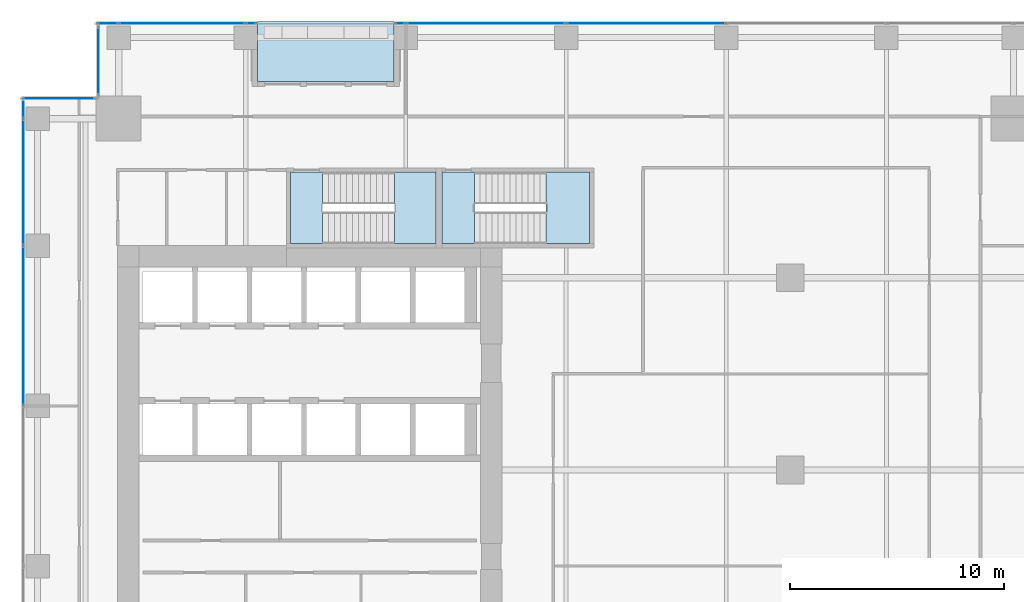
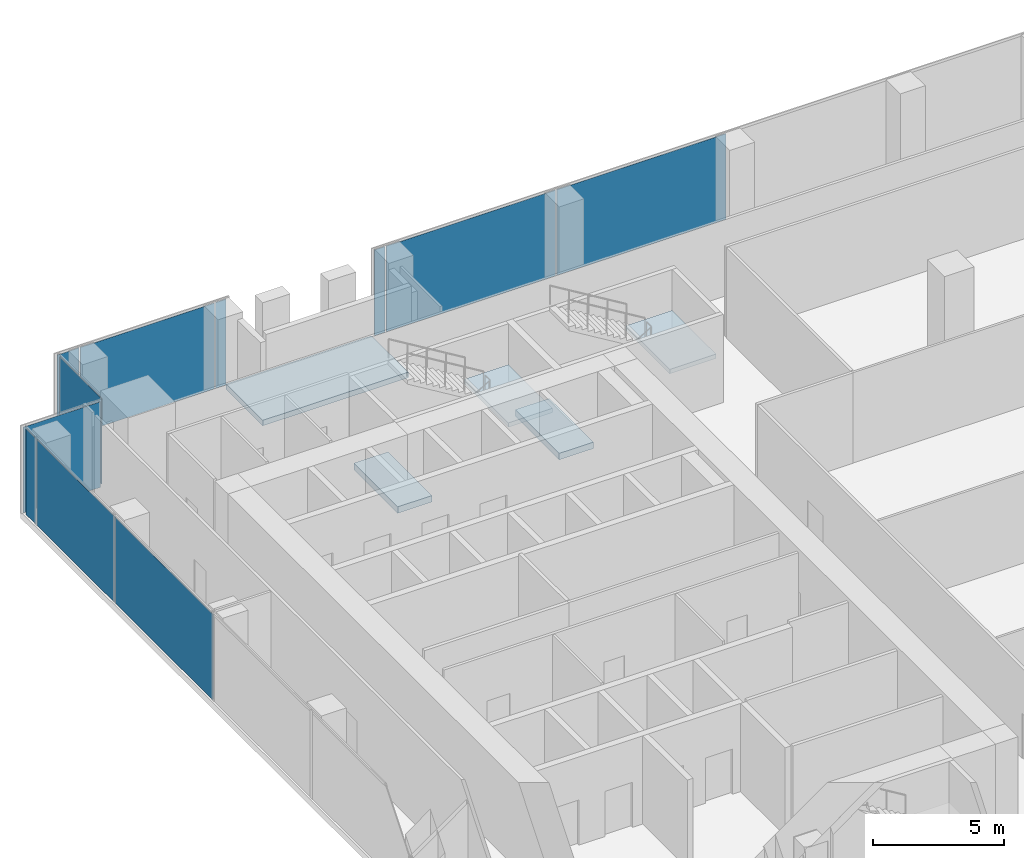
# One storey, part 26 of 34: 11 plates, 5 slabs, 7 elements without a shape of their own.
"""IFC4 building model written with IfcOpenShell, lengths in metres."""

from ifc_helpers import new_model, si_unit, direction, frame, origin, origin_2d, place, context, subcontext, project, spatial, polyline, rectangle, outline, extrude, source, transform, mapped, material, layer, layer_set, type_object, element, aggregate, save


model = new_model("IFC4")

# Units and contexts
model_context = context("Model", 3, precision=1e-05, world=origin(), true_north=direction((0.0, 1.0)))
body_context = subcontext(model_context, "Body", "Model", "MODEL_VIEW")
ifc_project = project(units=[si_unit("LENGTHUNIT", "METRE"), si_unit("AREAUNIT", "SQUARE_METRE"), si_unit("VOLUMEUNIT", "CUBIC_METRE"), si_unit("PLANEANGLEUNIT", "RADIAN"), si_unit("MASSUNIT", "GRAM", prefix="KILO")], contexts=[model_context])

# Site, building, storey
site_placement = place(None, origin())
site = spatial("IfcSite", under=ifc_project, at=site_placement, CompositionType="ELEMENT")
building_placement = place(site_placement, origin())
building = spatial("IfcBuilding", under=site, at=building_placement, Name="Khomas Fold Tower", CompositionType="ELEMENT")
storey_placement = place(building_placement, frame((0.0, 0.0, 105.89990234375)))
storey = spatial("IfcBuildingStorey", under=building, at=storey_placement, Name="L22", CompositionType="ELEMENT", Elevation=105.89990234375)

# Curtain wall, plate
ifc_material_1 = material(Name="Aluminium framed double glazing", Category="aluminium")
curtain_wall_type = type_object("IfcCurtainWallType", Name="SK-Unitised clear-glass wall, growing floors CW1", PredefinedType="NOTDEFINED", material=ifc_material_1)
curtain_wall_1_placement = place(storey_placement, origin())
curtain_wall_1 = element("IfcCurtainWall", 1, at=curtain_wall_1_placement, inside=storey, type_object=curtain_wall_type, Name="CW1 run L22 09-0", PredefinedType="NOTDEFINED")
ifc_material_2 = material(Name="Clear double glazed unit")
ifc_layer_1 = layer(ifc_material_2, 0.031982421875)
ifc_layer_set_1 = layer_set([ifc_layer_1], Name="Clear double glazed unit")
plate_type = type_object("IfcPlateType", Name="SK-Unitised clear-glass wall, growing floors glass panel CW1-P", PredefinedType="CURTAIN_PANEL", material=ifc_layer_set_1)
shared_shape_1 = source(origin(), body_context, "Body", "SweptSolid", [
    extrude(rectangle(XDim=0.760009765625, YDim=0.031982421875, at=origin_2d()), origin(), (0.0, 0.0, 1.0), 3.97998046875),
])
plate_1_placement = place(storey_placement, frame((1.60009765625, 48.360107421875, 0.0), z_axis=(0.0, 0.0, 1.0), x_axis=(0.0, -1.0, 0.0)))
plate_1 = element("IfcPlate", 2, at=plate_1_placement, type_object=plate_type, Name="CW1 glass panel 1", PredefinedType="CURTAIN_PANEL", context=body_context, shape_type="MappedRepresentation", body=[
    mapped(shared_shape_1, transform((0.0, 0.0, 0.0))),
])

curtain_wall_2_placement = place(storey_placement, origin())
curtain_wall_2 = element("IfcCurtainWall", 3, at=curtain_wall_2_placement, inside=storey, type_object=curtain_wall_type, Name="CW1 run L22 06-1", PredefinedType="NOTDEFINED")
shared_shape_2 = source(origin(), body_context, "Body", "SweptSolid", [
    extrude(rectangle(XDim=5.889892578125, YDim=0.031982421875, at=origin_2d()), origin(), (0.0, 0.0, 1.0), 3.97998046875),
])
plate_2_placement = place(storey_placement, frame((9.02490234375, 52.39990234375, 0.0), z_axis=(0.0, 0.0, 1.0), x_axis=(-1.0, 0.0, 0.0)))
plate_2 = element("IfcPlate", 4, at=plate_2_placement, type_object=plate_type, Name="CW1 glass panel 2", PredefinedType="CURTAIN_PANEL", context=body_context, shape_type="MappedRepresentation", body=[
    mapped(shared_shape_2, transform((0.0, 0.0, 0.0))),
])

# Plate
plate_3_placement = place(storey_placement, frame((1.60009765625, 44.97509765625, 0.0), z_axis=(0.0, 0.0, 1.0), x_axis=(0.0, -1.0, 0.0)))
plate_3 = element("IfcPlate", 5, at=plate_3_placement, type_object=plate_type, Name="CW1 glass panel 2", PredefinedType="CURTAIN_PANEL", context=body_context, shape_type="MappedRepresentation", body=[
    mapped(shared_shape_2, transform((0.0, 0.0, 0.0))),
])

# Curtain wall, plates
curtain_wall_3_placement = place(storey_placement, origin())
curtain_wall_3 = element("IfcCurtainWall", 6, at=curtain_wall_3_placement, inside=storey, type_object=curtain_wall_type, Name="CW1 run L22 06-0", PredefinedType="NOTDEFINED")
shared_shape_3 = source(origin(), body_context, "Body", "SweptSolid", [
    extrude(rectangle(XDim=7.43994140625, YDim=0.031982421875, at=origin_2d()), origin(), (0.0, 0.0, 1.0), 3.97998046875),
])
plate_4_placement = place(storey_placement, frame((30.75, 52.39990234375, 0.0), z_axis=(0.0, 0.0, 1.0), x_axis=(-1.0, 0.0, 0.0)))
plate_4 = element("IfcPlate", 7, at=plate_4_placement, type_object=plate_type, Name="CW1 glass panel 4", PredefinedType="CURTAIN_PANEL", context=body_context, shape_type="MappedRepresentation", body=[
    mapped(shared_shape_3, transform((0.0, 0.0, 0.0))),
])
plate_5_placement = place(storey_placement, frame((23.25, 52.39990234375, 0.0), z_axis=(0.0, 0.0, 1.0), x_axis=(-1.0, 0.0, 0.0)))
plate_5 = element("IfcPlate", 8, at=plate_5_placement, type_object=plate_type, Name="CW1 glass panel 5", PredefinedType="CURTAIN_PANEL", context=body_context, shape_type="MappedRepresentation", body=[
    mapped(shared_shape_3, transform((0.0, 0.0, 0.0))),
])

# Plate
plate_6_placement = place(storey_placement, frame((1.60009765625, 38.25, 0.0), z_axis=(0.0, 0.0, 1.0), x_axis=(0.0, -1.0, 0.0)))
plate_6 = element("IfcPlate", 9, at=plate_6_placement, type_object=plate_type, Name="CW1 glass panel 3", PredefinedType="CURTAIN_PANEL", context=body_context, shape_type="MappedRepresentation", body=[
    mapped(shared_shape_3, transform((0.0, 0.0, 0.0))),
])

aggregate(curtain_wall_1, [plate_1, plate_3, plate_6])

shared_shape_4 = source(origin(), body_context, "Body", "SweptSolid", [
    extrude(rectangle(XDim=0.9599609375, YDim=0.031982421875, at=origin_2d()), origin(), (0.0, 0.0, 1.0), 3.97998046875),
])
plate_7_placement = place(storey_placement, frame((5.5400390625, 52.39990234375, 0.0), z_axis=(0.0, 0.0, 1.0), x_axis=(-1.0, 0.0, 0.0)))
plate_7 = element("IfcPlate", 10, at=plate_7_placement, type_object=plate_type, Name="CW1 glass panel 3", PredefinedType="CURTAIN_PANEL", context=body_context, shape_type="MappedRepresentation", body=[
    mapped(shared_shape_4, transform((0.0, 0.0, 0.0))),
])

# Curtain wall, plate
curtain_wall_4_placement = place(storey_placement, origin())
curtain_wall_4 = element("IfcCurtainWall", 11, at=curtain_wall_4_placement, inside=storey, type_object=curtain_wall_type, Name="CW1 corner return L22 07", PredefinedType="NOTDEFINED")
shared_shape_5 = source(origin(), body_context, "Body", "SweptSolid", [
    extrude(rectangle(XDim=3.179931640625, YDim=0.031982421875, at=origin_2d()), origin(), (0.0, 0.0, 1.0), 3.97998046875),
])
plate_8_placement = place(storey_placement, frame((5.10009765625, 50.64990234375, 0.0), z_axis=(0.0, 0.0, 1.0), x_axis=(0.0, -1.0, 0.0)))
plate_8 = element("IfcPlate", 12, at=plate_8_placement, type_object=plate_type, Name="CW1 glass panel 1", PredefinedType="CURTAIN_PANEL", context=body_context, shape_type="MappedRepresentation", body=[
    mapped(shared_shape_5, transform((0.0, 0.0, 0.0))),
])
aggregate(curtain_wall_4, [plate_8])

curtain_wall_5_placement = place(storey_placement, origin())
curtain_wall_5 = element("IfcCurtainWall", 13, at=curtain_wall_5_placement, inside=storey, type_object=curtain_wall_type, Name="CW1 corner return L22 08", PredefinedType="NOTDEFINED")
shared_shape_6 = source(origin(), body_context, "Body", "SweptSolid", [
    extrude(rectangle(XDim=3.3798828125, YDim=0.031982421875, at=origin_2d()), origin(), (0.0, 0.0, 1.0), 3.97998046875),
])
plate_9_placement = place(storey_placement, frame((3.25, 48.89990234375, 0.0), z_axis=(0.0, 0.0, 1.0), x_axis=(-1.0, 0.0, 0.0)))
plate_9 = element("IfcPlate", 14, at=plate_9_placement, type_object=plate_type, Name="CW1 glass panel 1", PredefinedType="CURTAIN_PANEL", context=body_context, shape_type="MappedRepresentation", body=[
    mapped(shared_shape_6, transform((0.0, 0.0, 0.0))),
])
aggregate(curtain_wall_5, [plate_9])

# Plate
shared_shape_7 = source(origin(), body_context, "Body", "SweptSolid", [
    extrude(rectangle(XDim=0.4599609375, YDim=0.031982421875, at=origin_2d()), origin(), (0.0, 0.0, 1.0), 3.97998046875),
])
plate_10_placement = place(storey_placement, frame((19.239990234375, 52.39990234375, 0.0), z_axis=(0.0, 0.0, 1.0), x_axis=(-1.0, 0.0, 0.0)))
plate_10 = element("IfcPlate", 15, at=plate_10_placement, type_object=plate_type, Name="CW1 glass panel 6", PredefinedType="CURTAIN_PANEL", context=body_context, shape_type="MappedRepresentation", body=[
    mapped(shared_shape_7, transform((0.0, 0.0, 0.0))),
])

aggregate(curtain_wall_3, [plate_4, plate_5, plate_10])

plate_11_placement = place(storey_placement, frame((12.260009765625, 52.39990234375, 0.0), z_axis=(0.0, 0.0, 1.0), x_axis=(-1.0, 0.0, 0.0)))
plate_11 = element("IfcPlate", 16, at=plate_11_placement, type_object=plate_type, Name="CW1 glass panel 1", PredefinedType="CURTAIN_PANEL", context=body_context, shape_type="MappedRepresentation", body=[
    mapped(shared_shape_7, transform((0.0, 0.0, 0.0))),
])

aggregate(curtain_wall_2, [plate_11, plate_2, plate_7])

# Slab
ifc_material_3 = material(Name="Concrete C40/50", Category="concrete")
ifc_layer_2 = layer(ifc_material_3, 0.2548828125)
ifc_layer_set_2 = layer_set([ifc_layer_2], Name="Concrete C40/50")
slab_type_1 = type_object("IfcSlabType", Name="BL-Balcony deck 255", PredefinedType="FLOOR", material=ifc_layer_set_2)
shared_shape_8 = source(origin(), body_context, "Body", "SweptSolid", [
    extrude(outline(polyline([(12.550048828125, 49.699951171875), (18.949951171875, 49.699951171875), (18.949951171875, 52.5), (12.550048828125, 52.5), (12.550048828125, 49.699951171875)])), origin(), (0.0, 0.0, 1.0), 0.2548828125),
])
slab_1_placement = place(storey_placement, frame((0.0, 0.0, -0.2998046875)))
element("IfcSlab", 17, at=slab_1_placement, inside=storey, type_object=slab_type_1, Name="Balcony deck BAL-L22-N1", PredefinedType="FLOOR", context=body_context, shape_type="MappedRepresentation", body=[
    mapped(shared_shape_8, transform((0.0, 0.0, 0.0))),
])

# Stair, slab
ifc_material_4 = material(Name="Concrete C40/50", Category="concrete")
stair_type_1 = type_object("IfcStairType", Name="Stair ST1", PredefinedType="HALF_TURN_STAIR", material=ifc_material_4)
stair_1_placement = place(storey_placement, origin())
stair_1 = element("IfcStair", 18, at=stair_1_placement, inside=storey, type_object=stair_type_1, Name="L22 ST1", PredefinedType="HALF_TURN_STAIR")
ifc_material_5 = material(Name="Concrete C40/50", Category="concrete")
ifc_layer_3 = layer(ifc_material_5, 0.199951171875)
ifc_layer_set_3 = layer_set([ifc_layer_3], Name="Concrete C40/50")
slab_type_2 = type_object("IfcSlabType", Name="Stair landing 200", PredefinedType="LANDING", material=ifc_layer_set_3)
shared_shape_9 = source(origin(), body_context, "Body", "SweptSolid", [
    extrude(outline(polyline([(18.9599609375, 42.10009765625), (20.89990234375, 42.10009765625), (20.89990234375, 45.449951171875), (18.9599609375, 45.449951171875), (18.9599609375, 42.10009765625)])), origin(), (0.0, 0.0, 1.0), 0.2001953125),
])
slab_2_placement = place(storey_placement, frame((0.0, 0.0, 2.0)))
slab_2 = element("IfcSlab", 19, at=slab_2_placement, type_object=slab_type_2, Name="ST1 landing 1", PredefinedType="LANDING", context=body_context, shape_type="MappedRepresentation", body=[
    mapped(shared_shape_9, transform((0.0, 0.0, 0.0))),
])
aggregate(stair_1, [slab_2])

# Slab
ifc_material_6 = material(Name="Concrete C40/50", Category="concrete")
ifc_layer_4 = layer(ifc_material_6, 0.300048828125)
ifc_layer_set_4 = layer_set([ifc_layer_4], Name="Concrete C40/50")
slab_type_3 = type_object("IfcSlabType", Name="Stair floor landing 300", PredefinedType="LANDING", material=ifc_layer_set_4)
shared_shape_10 = source(origin(), body_context, "Body", "SweptSolid", [
    extrude(outline(polyline([(15.60009765625, 42.10009765625), (14.10009765625, 42.10009765625), (14.10009765625, 45.449951171875), (15.60009765625, 45.449951171875), (15.60009765625, 42.10009765625)])), origin(), (0.0, 0.0, 1.0), 0.2998046875),
])
slab_3_placement = place(storey_placement, frame((0.0, 0.0, -0.2998046875)))
element("IfcSlab", 20, at=slab_3_placement, inside=storey, type_object=slab_type_3, Name="ST1 floor landing", PredefinedType="LANDING", context=body_context, shape_type="MappedRepresentation", body=[
    mapped(shared_shape_10, transform((0.0, 0.0, 0.0))),
])

# Stair, slab
ifc_material_7 = material(Name="Concrete C40/50", Category="concrete")
stair_type_2 = type_object("IfcStairType", Name="Stair ST3", PredefinedType="HALF_TURN_STAIR", material=ifc_material_7)
stair_2_placement = place(storey_placement, origin())
stair_2 = element("IfcStair", 21, at=stair_2_placement, inside=storey, type_object=stair_type_2, Name="L22 ST3", PredefinedType="HALF_TURN_STAIR")
shared_shape_11 = source(origin(), body_context, "Body", "SweptSolid", [
    extrude(outline(polyline([(26.06005859375, 42.10009765625), (28.10009765625, 42.10009765625), (28.10009765625, 45.449951171875), (26.06005859375, 45.449951171875), (26.06005859375, 42.10009765625)])), origin(), (0.0, 0.0, 1.0), 0.2001953125),
])
slab_4_placement = place(storey_placement, frame((0.0, 0.0, 2.0)))
slab_4 = element("IfcSlab", 22, at=slab_4_placement, type_object=slab_type_2, Name="ST3 landing 1", PredefinedType="LANDING", context=body_context, shape_type="MappedRepresentation", body=[
    mapped(shared_shape_11, transform((0.0, 0.0, 0.0))),
])
aggregate(stair_2, [slab_4])

# Slab
shared_shape_12 = source(origin(), body_context, "Body", "SweptSolid", [
    extrude(outline(polyline([(22.699951171875, 42.10009765625), (21.199951171875, 42.10009765625), (21.199951171875, 45.449951171875), (22.699951171875, 45.449951171875), (22.699951171875, 42.10009765625)])), origin(), (0.0, 0.0, 1.0), 0.2998046875),
])
slab_5_placement = place(storey_placement, frame((0.0, 0.0, -0.2998046875)))
element("IfcSlab", 23, at=slab_5_placement, inside=storey, type_object=slab_type_3, Name="ST3 floor landing", PredefinedType="LANDING", context=body_context, shape_type="MappedRepresentation", body=[
    mapped(shared_shape_12, transform((0.0, 0.0, 0.0))),
])

save(model, "model.ifc")
